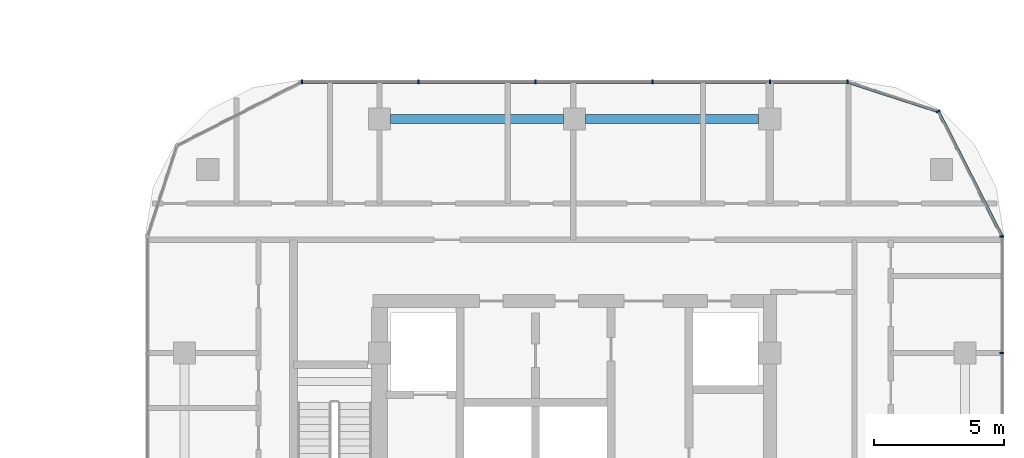
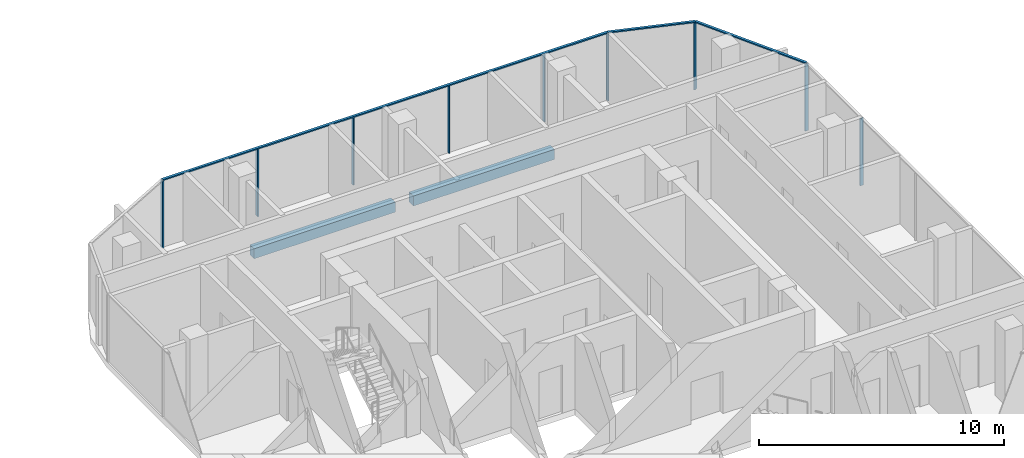
# One storey, part 13 of 33: 12 members, 2 beams, 3 elements without a shape of their own.
"""IFC4 building model written with IfcOpenShell, lengths in metres."""

from ifc_helpers import new_model, si_unit, direction, frame, origin, origin_2d, place, context, subcontext, project, spatial, rectangle, extrude, material, material_profile, profile_set, type_object, element, aggregate, save


model = new_model("IFC4")

# Units and contexts
model_context = context("Model", 3, precision=1e-05, world=origin(), true_north=direction((0.0, 1.0)))
body_context = subcontext(model_context, "Body", "Model", "MODEL_VIEW")
ifc_project = project(units=[si_unit("LENGTHUNIT", "METRE"), si_unit("AREAUNIT", "SQUARE_METRE"), si_unit("VOLUMEUNIT", "CUBIC_METRE"), si_unit("PLANEANGLEUNIT", "RADIAN"), si_unit("MASSUNIT", "GRAM", prefix="KILO")], contexts=[model_context])

# Site, building, storey
site_placement = place(None, origin())
site = spatial("IfcSite", under=ifc_project, at=site_placement, CompositionType="ELEMENT")
building_placement = place(site_placement, origin())
building = spatial("IfcBuilding", under=site, at=building_placement, Name="Ogive Portal Towers", CompositionType="ELEMENT")
storey_placement = place(building_placement, frame((0.0, 0.0, 77.89990234375)))
storey = spatial("IfcBuildingStorey", under=building, at=storey_placement, Name="L18", CompositionType="ELEMENT", Elevation=77.89990234375)

# Curtain wall, members
ifc_material_1 = material(Name="Glass, clear low-iron insulated glazing", Category="glass")
curtain_wall_type = type_object("IfcCurtainWallType", Name="CW RESIDENCES RIBBON", PredefinedType="NOTDEFINED", material=ifc_material_1)
curtain_wall_1_placement = place(storey_placement, origin())
curtain_wall_1 = element("IfcCurtainWall", 1, at=curtain_wall_1_placement, inside=storey, type_object=curtain_wall_type, Name="B:L18:f05:cw0", PredefinedType="NOTDEFINED")
ifc_material_2 = material(Name="Aluminium 6063 anodised", Category="aluminium")
ifc_material_profile_1 = material_profile(ifc_material_2, rectangle(XDim=0.159912109375, YDim=0.06005859375, at=origin_2d()), Name="AL 60x160")
ifc_profile_set_1 = profile_set([ifc_material_profile_1], Name="Aluminium 6063 anodised")
member_type_1 = type_object("IfcMemberType", Name="CW MULLION 60x160", PredefinedType="MULLION", material=ifc_profile_set_1)
member_1_placement = place(storey_placement, frame((152.919921875, 35.5, 0.0), z_axis=(0.0, 0.0, 1.0), x_axis=(-1.0, 0.0, 0.0)))
member_1 = element("IfcMember", 2, at=member_1_placement, type_object=member_type_1, Name="mullion", PredefinedType="MULLION", context=body_context, shape_type="SweptSolid", body=[
    extrude(rectangle(XDim=0.159912109375, YDim=0.06005859375, at=origin_2d()), origin(), (0.0, 0.0, 1.0), 3.340087890625),
])
member_2_placement = place(storey_placement, frame((152.919921875, 39.980712890625, 0.0), z_axis=(0.0, 0.0, 1.0), x_axis=(-1.0, 0.0, 0.0)))
member_2 = element("IfcMember", 3, at=member_2_placement, type_object=member_type_1, Name="mullion", PredefinedType="MULLION", context=body_context, shape_type="SweptSolid", body=[
    extrude(rectangle(XDim=0.159912109375, YDim=0.06005859375, at=origin_2d()), origin(), (0.0, 0.0, 1.0), 3.340087890625),
])
aggregate(curtain_wall_1, [member_1, member_2])

curtain_wall_2_placement = place(storey_placement, origin())
curtain_wall_2 = element("IfcCurtainWall", 4, at=curtain_wall_2_placement, inside=storey, type_object=curtain_wall_type, Name="B:L18:f08:cw0", PredefinedType="NOTDEFINED")
member_3_placement = place(storey_placement, frame((146.9873046875, 45.919921875, 0.0), z_axis=(0.0, 0.0, 1.0), x_axis=(0.0, -1.0, 0.0)))
member_3 = element("IfcMember", 5, at=member_3_placement, type_object=member_type_1, Name="mullion", PredefinedType="MULLION", context=body_context, shape_type="SweptSolid", body=[
    extrude(rectangle(XDim=0.159912109375, YDim=0.06005859375, at=origin_2d()), origin(), (0.0, 0.0, 1.0), 3.340087890625),
])
member_4_placement = place(storey_placement, frame((144.0, 45.919921875, 0.0), z_axis=(0.0, 0.0, 1.0), x_axis=(0.0, -1.0, 0.0)))
member_4 = element("IfcMember", 6, at=member_4_placement, type_object=member_type_1, Name="mullion", PredefinedType="MULLION", context=body_context, shape_type="SweptSolid", body=[
    extrude(rectangle(XDim=0.159912109375, YDim=0.06005859375, at=origin_2d()), origin(), (0.0, 0.0, 1.0), 3.340087890625),
])
member_5_placement = place(storey_placement, frame((139.5, 45.919921875, 0.0), z_axis=(0.0, 0.0, 1.0), x_axis=(0.0, -1.0, 0.0)))
member_5 = element("IfcMember", 7, at=member_5_placement, type_object=member_type_1, Name="mullion", PredefinedType="MULLION", context=body_context, shape_type="SweptSolid", body=[
    extrude(rectangle(XDim=0.159912109375, YDim=0.06005859375, at=origin_2d()), origin(), (0.0, 0.0, 1.0), 3.340087890625),
])
member_6_placement = place(storey_placement, frame((135.0, 45.919921875, 0.0), z_axis=(0.0, 0.0, 1.0), x_axis=(0.0, -1.0, 0.0)))
member_6 = element("IfcMember", 8, at=member_6_placement, type_object=member_type_1, Name="mullion", PredefinedType="MULLION", context=body_context, shape_type="SweptSolid", body=[
    extrude(rectangle(XDim=0.159912109375, YDim=0.06005859375, at=origin_2d()), origin(), (0.0, 0.0, 1.0), 3.340087890625),
])
member_7_placement = place(storey_placement, frame((130.5, 45.919921875, 0.0), z_axis=(0.0, 0.0, 1.0), x_axis=(0.0, -1.0, 0.0)))
member_7 = element("IfcMember", 9, at=member_7_placement, type_object=member_type_1, Name="mullion", PredefinedType="MULLION", context=body_context, shape_type="SweptSolid", body=[
    extrude(rectangle(XDim=0.159912109375, YDim=0.06005859375, at=origin_2d()), origin(), (0.0, 0.0, 1.0), 3.340087890625),
])
member_8_placement = place(storey_placement, frame((126.019287109375, 45.919921875, 0.0), z_axis=(0.0, 0.0, 1.0), x_axis=(0.0, -1.0, 0.0)))
member_8 = element("IfcMember", 10, at=member_8_placement, type_object=member_type_1, Name="mullion", PredefinedType="MULLION", context=body_context, shape_type="SweptSolid", body=[
    extrude(rectangle(XDim=0.159912109375, YDim=0.06005859375, at=origin_2d()), origin(), (0.0, 0.0, 1.0), 3.340087890625),
])

# Curtain wall, member
curtain_wall_3_placement = place(storey_placement, origin())
curtain_wall_3 = element("IfcCurtainWall", 11, at=curtain_wall_3_placement, inside=storey, type_object=curtain_wall_type, Name="B:L18:f06:cwa", PredefinedType="NOTDEFINED")
member_9_placement = place(storey_placement, frame((150.470458984375, 44.788330078125, 0.0), z_axis=(0.0, 0.0, 1.0), x_axis=(-0.891006524188, -0.45399049974, 0.0)))
member_9 = element("IfcMember", 12, at=member_9_placement, type_object=member_type_1, Name="mullion", PredefinedType="MULLION", context=body_context, shape_type="SweptSolid", body=[
    extrude(rectangle(XDim=0.159912109375, YDim=0.06005859375, at=origin_2d()), origin(), (0.0, 0.0, 1.0), 3.340087890625),
])

# Member
ifc_material_profile_2 = material_profile(ifc_material_2, rectangle(XDim=0.1201171875, YDim=0.06005859375, at=origin_2d()), Name="AL 120x60")
ifc_profile_set_2 = profile_set([ifc_material_profile_2], Name="Aluminium 6063 anodised")
member_type_2 = type_object("IfcMemberType", Name="CW TRANSOM 60x120", PredefinedType="USERDEFINED", material=ifc_profile_set_2)
member_10_placement = place(storey_placement, frame((146.9873046875, 45.919921875, 3.3701171875), z_axis=(-1.0, 0.0, 0.0), x_axis=(0.0, -1.0, 0.0)))
member_10 = element("IfcMember", 13, at=member_10_placement, type_object=member_type_2, Name="transom", ObjectType="TRANSOM", PredefinedType="USERDEFINED", context=body_context, shape_type="SweptSolid", body=[
    extrude(rectangle(XDim=0.1201171875, YDim=0.06005859375, at=origin_2d()), origin(), (0.0, 0.0, 1.0), 20.968017578125),
])

aggregate(curtain_wall_2, [member_10, member_3, member_4, member_5, member_6, member_7, member_8])

member_11_placement = place(storey_placement, frame((152.919921875, 39.980712890625, 3.3701171875), z_axis=(-0.453969839149, 0.891017050983, 0.0), x_axis=(-0.891017050983, -0.453969839149, 0.0)))
member_11 = element("IfcMember", 14, at=member_11_placement, type_object=member_type_2, Name="transom", ObjectType="TRANSOM", PredefinedType="USERDEFINED", context=body_context, shape_type="SweptSolid", body=[
    extrude(rectangle(XDim=0.1201171875, YDim=0.06005859375, at=origin_2d()), origin(), (0.0, 0.0, 1.0), 5.395751953125),
])

member_12_placement = place(storey_placement, frame((150.470458984375, 44.788330078125, 3.3701171875), z_axis=(-0.951068844598, 0.308979049184, 0.0), x_axis=(-0.308979049184, -0.951068844598, 0.0)))
member_12 = element("IfcMember", 15, at=member_12_placement, type_object=member_type_2, Name="transom", ObjectType="TRANSOM", PredefinedType="USERDEFINED", context=body_context, shape_type="SweptSolid", body=[
    extrude(rectangle(XDim=0.1201171875, YDim=0.06005859375, at=origin_2d()), origin(), (0.0, 0.0, 1.0), 3.662353515625),
])

aggregate(curtain_wall_3, [member_11, member_12, member_9])

# Beams
ifc_material_3 = material(Name="Concrete C50/60", Category="concrete")
ifc_material_profile_3 = material_profile(ifc_material_3, rectangle(XDim=0.35009765625, YDim=0.5, at=origin_2d()), Name="RC 350x500")
ifc_profile_set_3 = profile_set([ifc_material_profile_3], Name="Concrete C50/60")
beam_type = type_object("IfcBeamType", Name="SPANDREL BEAM RC 350x500", PredefinedType="BEAM", material=ifc_profile_set_3)
for number, where, z_axis, x_axis, name in (
    (16, (143.574951171875, 44.5, -0.5498046875), (-1.0, 0.0, 0.0), (0.0, -1.0, 0.0), "Spandrel beam L18"),
    (17, (136.074951171875, 44.5, -0.5498046875), (-1.0, 0.0, 0.0), (0.0, -1.0, 0.0), "Spandrel beam L18"),
):
    element("IfcBeam", number, at=place(storey_placement, frame(where, z_axis=z_axis, x_axis=x_axis)), inside=storey, type_object=beam_type, Name=name, PredefinedType="BEAM", context=body_context, shape_type="SweptSolid", body=[
        extrude(rectangle(XDim=0.35009765625, YDim=0.5, at=origin_2d()), origin(), (0.0, 0.0, 1.0), 6.64990234375),
    ])

save(model, "model.ifc")
